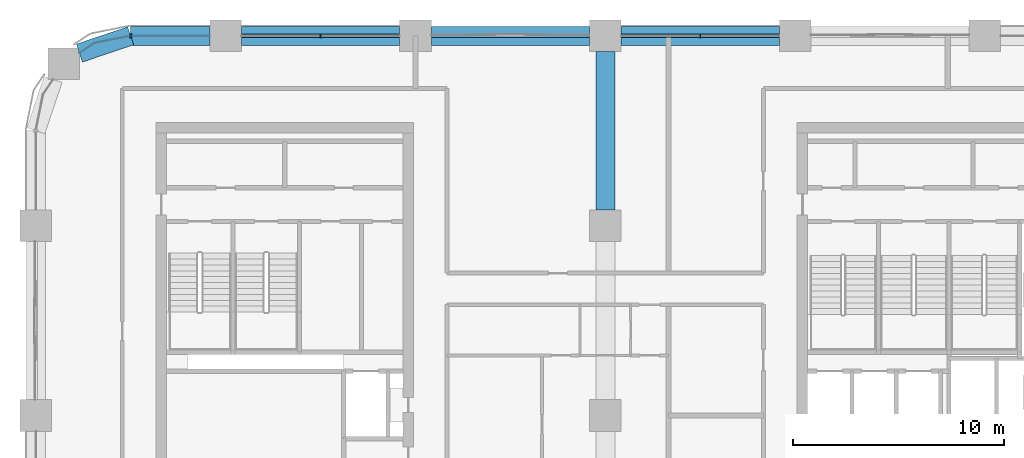
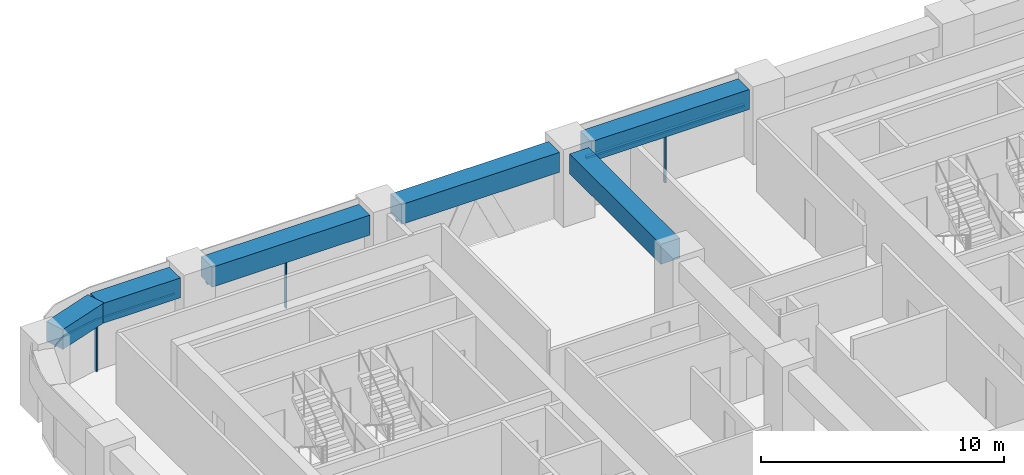
# One storey, part 4 of 18: 7 members, 6 beams, 4 elements without a shape of their own.
"""IFC4 building model written with IfcOpenShell, lengths in metres."""

import ifcopenshell
import ifcopenshell.guid

model = None  # the IFC model being written
_history = None  # IfcOwnerHistory: only IFC2X3 demands one
_inside = {}  # id of a spatial element -> (the spatial element, [elements in it])
_under = {}  # id of a project, library or spatial element -> (it, [spatial elements below it])
_declared = {}  # id of a project -> (the project, [libraries it declares])
_typed = {}  # id of a type object -> (the type object, [elements of that type])
_made_of = {}  # id of a material, layer set ... -> (it, [elements and type objects made of it])


def new_model(schema):
    """Start an empty IFC model of exactly this schema.

    Asked for "IFC4X3", IfcOpenShell would pick the latest addendum, in which some entities
    have other attributes; the version numbers below select the first issue.
    IFC2X3 requires an IfcOwnerHistory on every rooted entity: one is made here for all.
    """
    global model, _history
    if schema == "IFC4X3":
        model = ifcopenshell.file(schema_version=(4, 3, 0, 0))
    else:
        model = ifcopenshell.file(schema=schema)
    _inside.clear()
    _under.clear()
    _declared.clear()
    _typed.clear()
    _made_of.clear()
    _history = None
    if model.schema == "IFC2X3":
        org = make("IfcOrganization", Name="unknown")
        user = make(
            "IfcPersonAndOrganization",
            ThePerson=make("IfcPerson", FamilyName="unknown"),
            TheOrganization=org,
        )
        app = make(
            "IfcApplication",
            ApplicationDeveloper=org,
            Version="unknown",
            ApplicationFullName="unknown",
            ApplicationIdentifier="unknown",
        )
        _history = make(
            "IfcOwnerHistory",
            OwningUser=user,
            OwningApplication=app,
            ChangeAction="ADDED",
            CreationDate=0,
        )
    return model


def make(cls, **values):
    """One entity of the class cls with the attributes given. An attribute that is None is left unset."""
    return model.create_entity(
        cls, **{name: value for name, value in values.items() if value is not None}
    )


def rooted(cls, **values):
    """An entity with a GlobalId (a new one), such as an element, a storey or a relation."""
    return make(cls, GlobalId=ifcopenshell.guid.new(), OwnerHistory=_history, **values)


def si_unit(unit_type, name, prefix=None):
    """IfcSIUnit, for example si_unit("LENGTHUNIT", "METRE", prefix="MILLI")."""
    return make("IfcSIUnit", UnitType=unit_type, Prefix=prefix, Name=name)


def assignment(units):
    """IfcUnitAssignment: the units of a project."""
    return None if units is None else make("IfcUnitAssignment", Units=units)


def point(xyz):
    """IfcCartesianPoint."""
    return None if xyz is None else make("IfcCartesianPoint", Coordinates=xyz)


def direction(xyz):
    """IfcDirection."""
    return None if xyz is None else make("IfcDirection", DirectionRatios=xyz)


def frame(location, z_axis=None, x_axis=None):
    """IfcAxis2Placement3D, a coordinate frame: its origin and axes. An axis left out is left unset."""
    return make(
        "IfcAxis2Placement3D",
        Location=point(location),
        Axis=direction(z_axis),
        RefDirection=direction(x_axis),
    )


def frame_2d(location, x_axis=None):
    """IfcAxis2Placement2D, a coordinate frame in the plane: its origin and x axis."""
    return make(
        "IfcAxis2Placement2D", Location=point(location), RefDirection=direction(x_axis)
    )


def origin():
    """The frame at (0, 0, 0) with its axes left unset."""
    return frame((0.0, 0.0, 0.0))


def origin_2d():
    """The frame at (0, 0) in the plane with its x axis left unset."""
    return frame_2d((0.0, 0.0))


def place(relative_to, where):
    """IfcLocalPlacement: puts the frame where relative to a parent placement (None: the world)."""
    return make(
        "IfcLocalPlacement", PlacementRelTo=relative_to, RelativePlacement=where
    )


def context(
    kind, dimensions, precision=None, world=None, true_north=None, identifier=None
):
    """IfcGeometricRepresentationContext, for example the 3D "Model" context."""
    return make(
        "IfcGeometricRepresentationContext",
        ContextIdentifier=identifier,
        ContextType=kind,
        CoordinateSpaceDimension=dimensions,
        Precision=precision,
        WorldCoordinateSystem=world,
        TrueNorth=true_north,
    )


def subcontext(parent, identifier, kind, view, scale=None):
    """IfcGeometricRepresentationSubContext, for example "Body" below "Model"."""
    return make(
        "IfcGeometricRepresentationSubContext",
        ContextIdentifier=identifier,
        ContextType=kind,
        ParentContext=parent,
        TargetScale=scale,
        TargetView=view,
    )


def project(units=None, contexts=None):
    """IfcProject with its units and contexts."""
    return rooted(
        "IfcProject",
        Name="project",
        RepresentationContexts=contexts,
        UnitsInContext=assignment(units),
    )


def spatial(cls, under=None, at=None, **own):
    """A site, building, storey or space (cls), placed at a placement, below another one or the project."""
    s = rooted(cls, ObjectPlacement=at, **own)
    if under is not None:
        _under.setdefault(under.id(), (under, []))[1].append(s)
    return s


def polyline(points):
    """IfcPolyline through the points."""
    return make("IfcPolyline", Points=[point(p) for p in points])


def profile(cls, at=None, kind="AREA", **sizes):
    """A parametric profile (cls). Its sizes go by their IFC names, for example OverallWidth=200.0."""
    return make(cls, ProfileType=kind, Position=at, **sizes)


def rectangle(**sizes):
    """IfcRectangleProfileDef."""
    return profile("IfcRectangleProfileDef", **sizes)


def outline(outer, holes=None, kind="AREA"):
    """IfcArbitraryClosedProfileDef: a profile drawn as a closed curve; with holes, ...WithVoids."""
    if holes is None:
        return make("IfcArbitraryClosedProfileDef", ProfileType=kind, OuterCurve=outer)
    return make(
        "IfcArbitraryProfileDefWithVoids",
        ProfileType=kind,
        OuterCurve=outer,
        InnerCurves=holes,
    )


def extrude(swept, where, along, depth):
    """IfcExtrudedAreaSolid: the profile swept, set in the frame where, extruded along a direction by depth."""
    return make(
        "IfcExtrudedAreaSolid",
        SweptArea=swept,
        Position=where,
        ExtrudedDirection=direction(along),
        Depth=depth,
    )


def shape(context_of_items, identifier, shape_type, items):
    """IfcShapeRepresentation: the items that make up one representation, for example the "Body"."""
    return make(
        "IfcShapeRepresentation",
        ContextOfItems=context_of_items,
        RepresentationIdentifier=identifier,
        RepresentationType=shape_type,
        Items=items,
    )


def material(Name=None, Category=None):
    """IfcMaterial."""
    return make("IfcMaterial", Name=Name, Category=Category)


def material_profile(
    of_material, cross_section, Name=None, Category=None, Priority=None
):
    """IfcMaterialProfile: a cross section and its material."""
    return make(
        "IfcMaterialProfile",
        Name=Name,
        Material=of_material,
        Profile=cross_section,
        Priority=Priority,
        Category=Category,
    )


def profile_set(profiles, Name=None, composite=None):
    """IfcMaterialProfileSet."""
    return make(
        "IfcMaterialProfileSet",
        Name=Name,
        MaterialProfiles=profiles,
        CompositeProfile=composite,
    )


def made_of(thing, what):
    """Note that an element or type object is made of a material, layer set ...; save() writes the relation."""
    if what is not None:
        _made_of.setdefault(what.id(), (what, []))[1].append(thing)
    return thing


def type_object(cls, material=None, **own):
    """A type object (cls), such as IfcWallType, which elements share."""
    return made_of(rooted(cls, **own), material)


def element(
    cls,
    number,
    at=None,
    inside=None,
    cuts=None,
    type_object=None,
    material=None,
    context=None,
    identifier="Body",
    shape_type=None,
    held_by="IfcProductDefinitionShape",
    body=None,
    shapes=None,
    **own,
):
    """One element of the class cls, such as IfcWall. Its Tag is "e" and its number.

    at: its placement. inside: the storey or other place that contains it. cuts: it is an
    opening in that element (IfcRelVoidsElement). A single representation is given by context,
    identifier, shape_type and body (its items); several are given by shapes. held_by: the class
    of the entity that holds the representations. save() writes the other relations.
    """
    e = rooted(cls, Tag="e%d" % number, ObjectPlacement=at, **own)
    if body is not None:
        shapes = [shape(context, identifier, shape_type, body)]
    if shapes is not None:
        e.Representation = make(held_by, Representations=shapes)
    if inside is not None:
        _inside.setdefault(inside.id(), (inside, []))[1].append(e)
    if cuts is not None:
        rooted(
            "IfcRelVoidsElement", RelatingBuildingElement=cuts, RelatedOpeningElement=e
        )
    if type_object is not None:
        _typed.setdefault(type_object.id(), (type_object, []))[1].append(e)
    return made_of(e, material)


def aggregate(whole, parts):
    """IfcRelAggregates: a whole, such as a stair, and the parts it consists of."""
    return rooted("IfcRelAggregates", RelatingObject=whole, RelatedObjects=parts)


def save(model, path):
    """Write the relations noted so far, then the file.

    IfcRelAggregates (storeys below a building ...), IfcRelContainedInSpatialStructure (elements
    in a storey), IfcRelDefinesByType, IfcRelAssociatesMaterial and IfcRelDeclares: one each for
    every whole, place, type object, material and project.
    """
    for whole, parts in _under.values():
        aggregate(whole, parts)
    for where, things in _inside.values():
        rooted(
            "IfcRelContainedInSpatialStructure",
            RelatedElements=things,
            RelatingStructure=where,
        )
    for kind, things in _typed.values():
        rooted("IfcRelDefinesByType", RelatedObjects=things, RelatingType=kind)
    for what, things in _made_of.values():
        rooted("IfcRelAssociatesMaterial", RelatedObjects=things, RelatingMaterial=what)
    for by, libraries in _declared.values():
        rooted("IfcRelDeclares", RelatingContext=by, RelatedDefinitions=libraries)
    model.write(path)


model = new_model("IFC4")

# Units and contexts
model_context = context("Model", 3, precision=1e-05, world=origin(), true_north=direction((0.0, 1.0)))
body_context = subcontext(model_context, "Body", "Model", "MODEL_VIEW")
ifc_project = project(units=[si_unit("LENGTHUNIT", "METRE"), si_unit("AREAUNIT", "SQUARE_METRE"), si_unit("VOLUMEUNIT", "CUBIC_METRE"), si_unit("PLANEANGLEUNIT", "RADIAN"), si_unit("MASSUNIT", "GRAM", prefix="KILO")], contexts=[model_context])

# Site, building, storey
site_placement = place(None, origin())
site = spatial("IfcSite", under=ifc_project, at=site_placement, CompositionType="ELEMENT")
building_placement = place(site_placement, origin())
building = spatial("IfcBuilding", under=site, at=building_placement, Name="Tessera Arch", CompositionType="ELEMENT")
storey_placement = place(building_placement, frame((0.0, 0.0, 154.39990234375)))
storey = spatial("IfcBuildingStorey", under=building, at=storey_placement, Name="L36", CompositionType="ELEMENT", Elevation=154.39990234375)

# Curtain wall, member
ifc_material_1 = material(Name="CW1 curtain wall")
curtain_wall_type_1 = type_object("IfcCurtainWallType", Name="CW1 curtain wall", PredefinedType="NOTDEFINED", material=ifc_material_1)
curtain_wall_1_placement = place(storey_placement, origin())
curtain_wall_1 = element("IfcCurtainWall", 1, at=curtain_wall_1_placement, inside=storey, type_object=curtain_wall_type_1, Name="CW1 curtain wall N54.0/2 L36", PredefinedType="NOTDEFINED")
ifc_material_2 = material(Name="Anodised aluminium pale metal", Category="aluminium")
ifc_material_profile_1 = material_profile(ifc_material_2, rectangle(XDim=0.159912109375, YDim=0.06005859375, at=origin_2d()), Name="AL 60x160")
ifc_profile_set_1 = profile_set([ifc_material_profile_1], Name="Anodised aluminium pale metal")
member_type_1 = type_object("IfcMemberType", Name="CW1 mullion", PredefinedType="MULLION", material=ifc_profile_set_1)
member_1_placement = place(storey_placement, frame((31.5, 54.0, 0.0), z_axis=(0.0, 0.0, 1.0), x_axis=(0.0, -1.0, 0.0)))
member_1 = element("IfcMember", 2, at=member_1_placement, type_object=member_type_1, Name="CW1 mullion N54.0/2 1", PredefinedType="MULLION", context=body_context, shape_type="SweptSolid", body=[
    extrude(rectangle(XDim=0.159912109375, YDim=0.06005859375, at=origin_2d()), origin(), (0.0, 0.0, 1.0), 2.5),
])

curtain_wall_2_placement = place(storey_placement, origin())
curtain_wall_2 = element("IfcCurtainWall", 3, at=curtain_wall_2_placement, inside=storey, type_object=curtain_wall_type_1, Name="CW1 curtain wall N54.0/4 L36", PredefinedType="NOTDEFINED")
member_2_placement = place(storey_placement, frame((13.5, 54.0, 0.0), z_axis=(0.0, 0.0, 1.0), x_axis=(0.0, -1.0, 0.0)))
member_2 = element("IfcMember", 4, at=member_2_placement, type_object=member_type_1, Name="CW1 mullion N54.0/4 1", PredefinedType="MULLION", context=body_context, shape_type="SweptSolid", body=[
    extrude(rectangle(XDim=0.159912109375, YDim=0.06005859375, at=origin_2d()), origin(), (0.0, 0.0, 1.0), 2.5),
])

# Member
ifc_material_3 = material(Name="Anodised aluminium pale metal", Category="aluminium")
ifc_material_profile_2 = material_profile(ifc_material_3, rectangle(XDim=0.159912109375, YDim=0.10009765625, at=origin_2d()), Name="AL 160x100")
ifc_profile_set_2 = profile_set([ifc_material_profile_2], Name="Anodised aluminium pale metal")
member_type_2 = type_object("IfcMemberType", Name="CW1 transom", PredefinedType="USERDEFINED", material=ifc_profile_set_2)
member_3_placement = place(storey_placement, frame((35.25, 54.0, 2.550048828125), z_axis=(-1.0, 0.0, 0.0), x_axis=(0.0, -1.0, 0.0)))
member_3 = element("IfcMember", 5, at=member_3_placement, type_object=member_type_2, Name="CW1 transom N54.0/2 1.1", ObjectType="TRANSOM", PredefinedType="USERDEFINED", context=body_context, shape_type="SweptSolid", body=[
    extrude(rectangle(XDim=0.159912109375, YDim=0.10009765625, at=origin_2d()), origin(), (0.0, 0.0, 1.0), 7.5),
])

aggregate(curtain_wall_1, [member_1, member_3])

member_4_placement = place(storey_placement, frame((17.25, 54.0, 2.550048828125), z_axis=(-1.0, 0.0, 0.0), x_axis=(0.0, -1.0, 0.0)))
member_4 = element("IfcMember", 6, at=member_4_placement, type_object=member_type_2, Name="CW1 transom N54.0/4 1.1", ObjectType="TRANSOM", PredefinedType="USERDEFINED", context=body_context, shape_type="SweptSolid", body=[
    extrude(rectangle(XDim=0.159912109375, YDim=0.10009765625, at=origin_2d()), origin(), (0.0, 0.0, 1.0), 7.5),
])

aggregate(curtain_wall_2, [member_2, member_4])

# Curtain wall, members
ifc_material_4 = material(Name="CW2 curtain wall")
curtain_wall_type_2 = type_object("IfcCurtainWallType", Name="CW2 curtain wall", PredefinedType="NOTDEFINED", material=ifc_material_4)
curtain_wall_3_placement = place(storey_placement, origin())
curtain_wall_3 = element("IfcCurtainWall", 7, at=curtain_wall_3_placement, inside=storey, type_object=curtain_wall_type_2, Name="CW2 curtain wall N54.0/5 L36", PredefinedType="NOTDEFINED")
ifc_material_5 = material(Name="Anodised aluminium pale metal", Category="aluminium")
ifc_material_profile_3 = material_profile(ifc_material_5, rectangle(XDim=0.199951171875, YDim=0.080078125, at=origin_2d()), Name="AL 80x200")
ifc_profile_set_3 = profile_set([ifc_material_profile_3], Name="Anodised aluminium pale metal")
member_type_3 = type_object("IfcMemberType", Name="CW2 mullion", PredefinedType="MULLION", material=ifc_profile_set_3)
member_5_placement = place(storey_placement, frame((4.5, 54.0, 0.0), z_axis=(0.0, 0.0, 1.0), x_axis=(0.0, -1.0, 0.0)))
member_5 = element("IfcMember", 8, at=member_5_placement, type_object=member_type_3, Name="CW2 mullion N54.0/5 1", PredefinedType="MULLION", context=body_context, shape_type="SweptSolid", body=[
    extrude(rectangle(XDim=0.199951171875, YDim=0.080078125, at=origin_2d()), origin(), (0.0, 0.0, 1.0), 2.5),
])
ifc_material_6 = material(Name="Anodised aluminium pale metal", Category="aluminium")
ifc_material_profile_4 = material_profile(ifc_material_6, rectangle(XDim=0.199951171875, YDim=0.10009765625, at=origin_2d()), Name="AL 200x100")
ifc_profile_set_4 = profile_set([ifc_material_profile_4], Name="Anodised aluminium pale metal")
member_type_4 = type_object("IfcMemberType", Name="CW2 transom", PredefinedType="USERDEFINED", material=ifc_profile_set_4)
member_6_placement = place(storey_placement, frame((0.0, 0.0, 2.5)))
member_6 = element("IfcMember", 9, at=member_6_placement, type_object=member_type_4, Name="CW2 transom N54.0/5 1", ObjectType="TRANSOM", PredefinedType="USERDEFINED", context=body_context, shape_type="SweptSolid", body=[
    extrude(outline(polyline([(4.5009765625, 53.989990234375), (8.25, 53.989990234375), (8.25, 54.010009765625), (4.4990234375, 54.010009765625), (2.77392578125, 53.6669921875), (2.0625, 53.19140625), (2.073486328125, 53.1748046875), (2.78173828125, 53.648193359375), (4.5009765625, 53.989990234375)])), origin(), (0.0, 0.0, 1.0), 0.10009765625),
])
aggregate(curtain_wall_3, [member_5, member_6])

# Curtain wall, member
ifc_material_7 = material(Name="CW3 curtain wall")
curtain_wall_type_3 = type_object("IfcCurtainWallType", Name="CW3 curtain wall", PredefinedType="NOTDEFINED", material=ifc_material_7)
curtain_wall_4_placement = place(storey_placement, origin())
curtain_wall_4 = element("IfcCurtainWall", 10, at=curtain_wall_4_placement, inside=storey, type_object=curtain_wall_type_3, Name="CW3 curtain wall N54.0/3 L36", PredefinedType="NOTDEFINED")
ifc_material_8 = material(Name="Anodised aluminium pale metal", Category="aluminium")
ifc_material_profile_5 = material_profile(ifc_material_8, rectangle(XDim=0.139892578125, YDim=0.10009765625, at=origin_2d()), Name="AL 140x100")
ifc_profile_set_5 = profile_set([ifc_material_profile_5], Name="Anodised aluminium pale metal")
member_type_5 = type_object("IfcMemberType", Name="CW3 transom", PredefinedType="USERDEFINED", material=ifc_profile_set_5)
member_7_placement = place(storey_placement, frame((26.25, 54.0, 2.550048828125), z_axis=(-1.0, 0.0, 0.0), x_axis=(0.0, -1.0, 0.0)))
member_7 = element("IfcMember", 11, at=member_7_placement, type_object=member_type_5, Name="CW3 transom N54.0/3 1.1", ObjectType="TRANSOM", PredefinedType="USERDEFINED", context=body_context, shape_type="SweptSolid", body=[
    extrude(rectangle(XDim=0.139892578125, YDim=0.10009765625, at=origin_2d()), origin(), (0.0, 0.0, 1.0), 7.5),
])
aggregate(curtain_wall_4, [member_7])

# Beams
ifc_material_9 = material(Name="Concrete C70/85", Category="concrete")
ifc_material_profile_6 = material_profile(ifc_material_9, rectangle(XDim=0.89990234375, YDim=1.0, at=origin_2d()), Name="RC spandrel beam 900 x 1000 Concrete C70/85")
ifc_profile_set_6 = profile_set([ifc_material_profile_6], Name="Concrete C70/85")
beam_type = type_object("IfcBeamType", Name="RC spandrel beam 900 x 1000 Concrete C70/85", PredefinedType="BEAM", material=ifc_profile_set_6)
for number, where, z_axis, x_axis, name in (
    (12, (35.25, 54.0, 3.10009765625), (-1.0, 0.0, 0.0), (0.0, -1.0, 0.0), "Spandrel beam L36 N54.0/2"),
    (13, (26.25, 54.0, 3.10009765625), (-1.0, 0.0, 0.0), (0.0, -1.0, 0.0), "Spandrel beam L36 N54.0/3"),
    (14, (17.25, 54.0, 3.10009765625), (-1.0, 0.0, 0.0), (0.0, -1.0, 0.0), "Spandrel beam L36 N54.0/4"),
):
    element("IfcBeam", number, at=place(storey_placement, frame(where, z_axis=z_axis, x_axis=x_axis)), inside=storey, type_object=beam_type, Name=name, PredefinedType="BEAM", context=body_context, shape_type="SweptSolid", body=[
        extrude(rectangle(XDim=0.89990234375, YDim=1.0, at=origin_2d()), origin(), (0.0, 0.0, 1.0), 7.5),
    ])
beam_1_placement = place(storey_placement, frame((8.25, 54.0, 3.10009765625), z_axis=(-1.0, 0.0, 0.0), x_axis=(0.0, -1.0, 0.0)))
element("IfcBeam", 15, at=beam_1_placement, inside=storey, type_object=beam_type, Name="Spandrel beam L36 N54.0/5.1", PredefinedType="BEAM", context=body_context, shape_type="SweptSolid", body=[
    extrude(rectangle(XDim=0.89990234375, YDim=1.0, at=origin_2d()), origin(), (0.0, 0.0, 1.0), 3.75),
])
beam_2_placement = place(storey_placement, frame((4.5, 54.0, 3.10009765625), z_axis=(-0.947947973234, -0.31842525032, 0.0), x_axis=(0.31842525032, -0.947947973234, 0.0)))
element("IfcBeam", 16, at=beam_2_placement, inside=storey, type_object=beam_type, Name="Spandrel beam L36 N54.0/5.2", PredefinedType="BEAM", context=body_context, shape_type="SweptSolid", body=[
    extrude(rectangle(XDim=0.89990234375, YDim=1.0, at=origin_2d()), origin(), (0.0, 0.0, 1.0), 2.5654296875),
])
beam_3_placement = place(storey_placement, frame((27.0, 45.75, 3.10009765625), z_axis=(0.0, 1.0, 0.0), x_axis=(-1.0, 0.0, 0.0)))
element("IfcBeam", 17, at=beam_3_placement, inside=storey, type_object=beam_type, Name="Interface beam L36 I0C4F-C4G", PredefinedType="BEAM", context=body_context, shape_type="SweptSolid", body=[
    extrude(rectangle(XDim=0.89990234375, YDim=1.0, at=origin_2d()), origin(), (0.0, 0.0, 1.0), 7.5),
])

save(model, "model.ifc")
